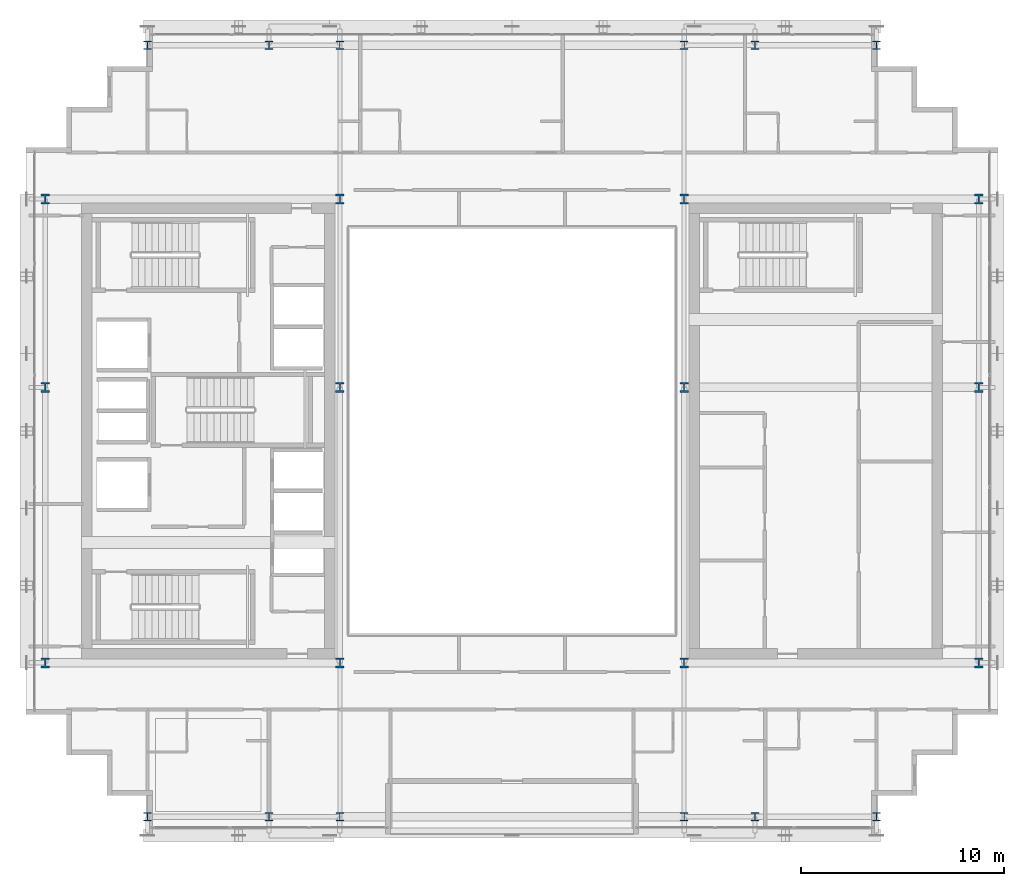
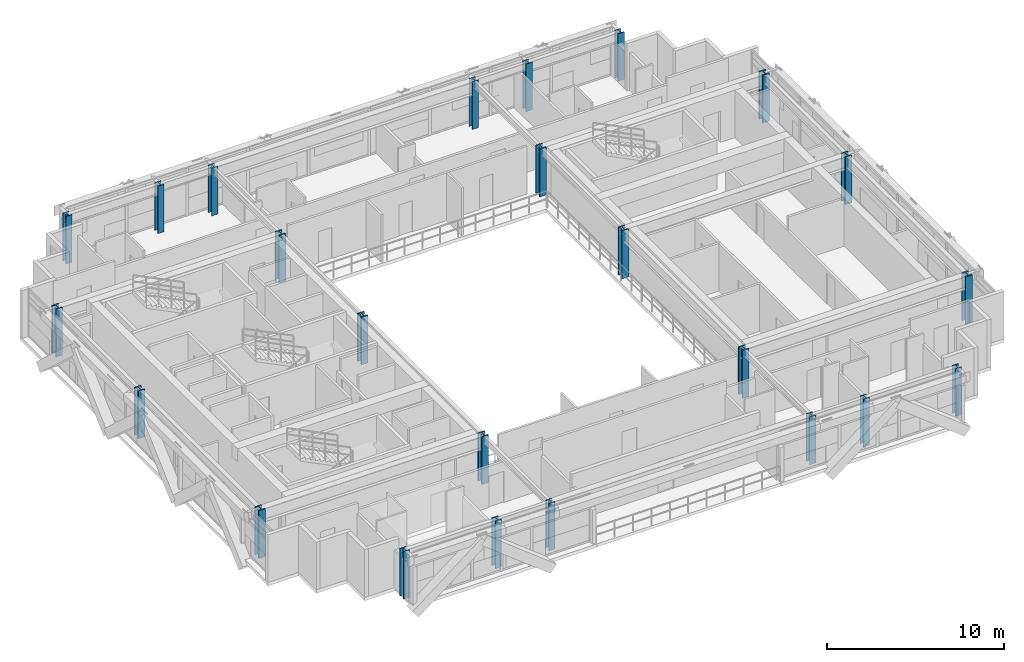
# One storey, part 1 of 32: 24 columns.
"""IFC4 building model written with IfcOpenShell, lengths in metres."""

import ifcopenshell
import ifcopenshell.guid

model = None  # the IFC model being written
_history = None  # IfcOwnerHistory: only IFC2X3 demands one
_inside = {}  # id of a spatial element -> (the spatial element, [elements in it])
_under = {}  # id of a project, library or spatial element -> (it, [spatial elements below it])
_declared = {}  # id of a project -> (the project, [libraries it declares])
_typed = {}  # id of a type object -> (the type object, [elements of that type])
_made_of = {}  # id of a material, layer set ... -> (it, [elements and type objects made of it])


def new_model(schema):
    """Start an empty IFC model of exactly this schema.

    Asked for "IFC4X3", IfcOpenShell would pick the latest addendum, in which some entities
    have other attributes; the version numbers below select the first issue.
    IFC2X3 requires an IfcOwnerHistory on every rooted entity: one is made here for all.
    """
    global model, _history
    if schema == "IFC4X3":
        model = ifcopenshell.file(schema_version=(4, 3, 0, 0))
    else:
        model = ifcopenshell.file(schema=schema)
    _inside.clear()
    _under.clear()
    _declared.clear()
    _typed.clear()
    _made_of.clear()
    _history = None
    if model.schema == "IFC2X3":
        org = make("IfcOrganization", Name="unknown")
        user = make(
            "IfcPersonAndOrganization",
            ThePerson=make("IfcPerson", FamilyName="unknown"),
            TheOrganization=org,
        )
        app = make(
            "IfcApplication",
            ApplicationDeveloper=org,
            Version="unknown",
            ApplicationFullName="unknown",
            ApplicationIdentifier="unknown",
        )
        _history = make(
            "IfcOwnerHistory",
            OwningUser=user,
            OwningApplication=app,
            ChangeAction="ADDED",
            CreationDate=0,
        )
    return model


def make(cls, **values):
    """One entity of the class cls with the attributes given. An attribute that is None is left unset."""
    return model.create_entity(
        cls, **{name: value for name, value in values.items() if value is not None}
    )


def rooted(cls, **values):
    """An entity with a GlobalId (a new one), such as an element, a storey or a relation."""
    return make(cls, GlobalId=ifcopenshell.guid.new(), OwnerHistory=_history, **values)


def si_unit(unit_type, name, prefix=None):
    """IfcSIUnit, for example si_unit("LENGTHUNIT", "METRE", prefix="MILLI")."""
    return make("IfcSIUnit", UnitType=unit_type, Prefix=prefix, Name=name)


def assignment(units):
    """IfcUnitAssignment: the units of a project."""
    return None if units is None else make("IfcUnitAssignment", Units=units)


def point(xyz):
    """IfcCartesianPoint."""
    return None if xyz is None else make("IfcCartesianPoint", Coordinates=xyz)


def direction(xyz):
    """IfcDirection."""
    return None if xyz is None else make("IfcDirection", DirectionRatios=xyz)


def frame(location, z_axis=None, x_axis=None):
    """IfcAxis2Placement3D, a coordinate frame: its origin and axes. An axis left out is left unset."""
    return make(
        "IfcAxis2Placement3D",
        Location=point(location),
        Axis=direction(z_axis),
        RefDirection=direction(x_axis),
    )


def frame_2d(location, x_axis=None):
    """IfcAxis2Placement2D, a coordinate frame in the plane: its origin and x axis."""
    return make(
        "IfcAxis2Placement2D", Location=point(location), RefDirection=direction(x_axis)
    )


def origin():
    """The frame at (0, 0, 0) with its axes left unset."""
    return frame((0.0, 0.0, 0.0))


def origin_2d():
    """The frame at (0, 0) in the plane with its x axis left unset."""
    return frame_2d((0.0, 0.0))


def place(relative_to, where):
    """IfcLocalPlacement: puts the frame where relative to a parent placement (None: the world)."""
    return make(
        "IfcLocalPlacement", PlacementRelTo=relative_to, RelativePlacement=where
    )


def context(
    kind, dimensions, precision=None, world=None, true_north=None, identifier=None
):
    """IfcGeometricRepresentationContext, for example the 3D "Model" context."""
    return make(
        "IfcGeometricRepresentationContext",
        ContextIdentifier=identifier,
        ContextType=kind,
        CoordinateSpaceDimension=dimensions,
        Precision=precision,
        WorldCoordinateSystem=world,
        TrueNorth=true_north,
    )


def subcontext(parent, identifier, kind, view, scale=None):
    """IfcGeometricRepresentationSubContext, for example "Body" below "Model"."""
    return make(
        "IfcGeometricRepresentationSubContext",
        ContextIdentifier=identifier,
        ContextType=kind,
        ParentContext=parent,
        TargetScale=scale,
        TargetView=view,
    )


def project(units=None, contexts=None):
    """IfcProject with its units and contexts."""
    return rooted(
        "IfcProject",
        Name="project",
        RepresentationContexts=contexts,
        UnitsInContext=assignment(units),
    )


def spatial(cls, under=None, at=None, **own):
    """A site, building, storey or space (cls), placed at a placement, below another one or the project."""
    s = rooted(cls, ObjectPlacement=at, **own)
    if under is not None:
        _under.setdefault(under.id(), (under, []))[1].append(s)
    return s


def profile(cls, at=None, kind="AREA", **sizes):
    """A parametric profile (cls). Its sizes go by their IFC names, for example OverallWidth=200.0."""
    return make(cls, ProfileType=kind, Position=at, **sizes)


def i_section(**sizes):
    """IfcIShapeProfileDef."""
    return profile("IfcIShapeProfileDef", **sizes)


def extrude(swept, where, along, depth):
    """IfcExtrudedAreaSolid: the profile swept, set in the frame where, extruded along a direction by depth."""
    return make(
        "IfcExtrudedAreaSolid",
        SweptArea=swept,
        Position=where,
        ExtrudedDirection=direction(along),
        Depth=depth,
    )


def shape(context_of_items, identifier, shape_type, items):
    """IfcShapeRepresentation: the items that make up one representation, for example the "Body"."""
    return make(
        "IfcShapeRepresentation",
        ContextOfItems=context_of_items,
        RepresentationIdentifier=identifier,
        RepresentationType=shape_type,
        Items=items,
    )


def source(mapping_origin, context_of_items, identifier, shape_type, items):
    """IfcRepresentationMap: a shape defined once, which mapped items show again and again."""
    return make(
        "IfcRepresentationMap",
        MappingOrigin=mapping_origin,
        MappedRepresentation=shape(context_of_items, identifier, shape_type, items),
    )


def transform(
    local_origin,
    x_axis=None,
    y_axis=None,
    z_axis=None,
    scale=None,
    scale2=None,
    scale3=None,
    uniform=True,
):
    """IfcCartesianTransformationOperator3D, or its non-uniform kind. x_axis, y_axis, z_axis: its Axis1, 2, 3."""
    if uniform:
        return make(
            "IfcCartesianTransformationOperator3D",
            Axis1=direction(x_axis),
            Axis2=direction(y_axis),
            LocalOrigin=point(local_origin),
            Scale=scale,
            Axis3=direction(z_axis),
        )
    return make(
        "IfcCartesianTransformationOperator3DnonUniform",
        Axis1=direction(x_axis),
        Axis2=direction(y_axis),
        LocalOrigin=point(local_origin),
        Scale=scale,
        Axis3=direction(z_axis),
        Scale2=scale2,
        Scale3=scale3,
    )


def mapped(mapping_source, mapping_target):
    """IfcMappedItem: shows the shape of a source again, moved by a transform."""
    return make(
        "IfcMappedItem", MappingSource=mapping_source, MappingTarget=mapping_target
    )


def material(Name=None, Category=None):
    """IfcMaterial."""
    return make("IfcMaterial", Name=Name, Category=Category)


def material_profile(
    of_material, cross_section, Name=None, Category=None, Priority=None
):
    """IfcMaterialProfile: a cross section and its material."""
    return make(
        "IfcMaterialProfile",
        Name=Name,
        Material=of_material,
        Profile=cross_section,
        Priority=Priority,
        Category=Category,
    )


def profile_set(profiles, Name=None, composite=None):
    """IfcMaterialProfileSet."""
    return make(
        "IfcMaterialProfileSet",
        Name=Name,
        MaterialProfiles=profiles,
        CompositeProfile=composite,
    )


def made_of(thing, what):
    """Note that an element or type object is made of a material, layer set ...; save() writes the relation."""
    if what is not None:
        _made_of.setdefault(what.id(), (what, []))[1].append(thing)
    return thing


def type_object(cls, material=None, **own):
    """A type object (cls), such as IfcWallType, which elements share."""
    return made_of(rooted(cls, **own), material)


def element(
    cls,
    number,
    at=None,
    inside=None,
    cuts=None,
    type_object=None,
    material=None,
    context=None,
    identifier="Body",
    shape_type=None,
    held_by="IfcProductDefinitionShape",
    body=None,
    shapes=None,
    **own,
):
    """One element of the class cls, such as IfcWall. Its Tag is "e" and its number.

    at: its placement. inside: the storey or other place that contains it. cuts: it is an
    opening in that element (IfcRelVoidsElement). A single representation is given by context,
    identifier, shape_type and body (its items); several are given by shapes. held_by: the class
    of the entity that holds the representations. save() writes the other relations.
    """
    e = rooted(cls, Tag="e%d" % number, ObjectPlacement=at, **own)
    if body is not None:
        shapes = [shape(context, identifier, shape_type, body)]
    if shapes is not None:
        e.Representation = make(held_by, Representations=shapes)
    if inside is not None:
        _inside.setdefault(inside.id(), (inside, []))[1].append(e)
    if cuts is not None:
        rooted(
            "IfcRelVoidsElement", RelatingBuildingElement=cuts, RelatedOpeningElement=e
        )
    if type_object is not None:
        _typed.setdefault(type_object.id(), (type_object, []))[1].append(e)
    return made_of(e, material)


def aggregate(whole, parts):
    """IfcRelAggregates: a whole, such as a stair, and the parts it consists of."""
    return rooted("IfcRelAggregates", RelatingObject=whole, RelatedObjects=parts)


def save(model, path):
    """Write the relations noted so far, then the file.

    IfcRelAggregates (storeys below a building ...), IfcRelContainedInSpatialStructure (elements
    in a storey), IfcRelDefinesByType, IfcRelAssociatesMaterial and IfcRelDeclares: one each for
    every whole, place, type object, material and project.
    """
    for whole, parts in _under.values():
        aggregate(whole, parts)
    for where, things in _inside.values():
        rooted(
            "IfcRelContainedInSpatialStructure",
            RelatedElements=things,
            RelatingStructure=where,
        )
    for kind, things in _typed.values():
        rooted("IfcRelDefinesByType", RelatedObjects=things, RelatingType=kind)
    for what, things in _made_of.values():
        rooted("IfcRelAssociatesMaterial", RelatedObjects=things, RelatingMaterial=what)
    for by, libraries in _declared.values():
        rooted("IfcRelDeclares", RelatingContext=by, RelatedDefinitions=libraries)
    model.write(path)


model = new_model("IFC4")

# Units and contexts
model_context = context("Model", 3, precision=1e-05, world=origin(), true_north=direction((0.0, 1.0)))
body_context = subcontext(model_context, "Body", "Model", "MODEL_VIEW")
ifc_project = project(units=[si_unit("LENGTHUNIT", "METRE"), si_unit("AREAUNIT", "SQUARE_METRE"), si_unit("VOLUMEUNIT", "CUBIC_METRE"), si_unit("PLANEANGLEUNIT", "RADIAN"), si_unit("MASSUNIT", "GRAM", prefix="KILO")], contexts=[model_context])

# Site, building, storey
site_placement = place(None, origin())
site = spatial("IfcSite", under=ifc_project, at=site_placement, CompositionType="ELEMENT")
building_placement = place(site_placement, origin())
building = spatial("IfcBuilding", under=site, at=building_placement, Name="Ocotamira Hotel", CompositionType="ELEMENT")
storey_placement = place(building_placement, frame((0.0, 0.0, 217.199951171875)))
storey = spatial("IfcBuildingStorey", under=building, at=storey_placement, Name="L55", CompositionType="ELEMENT", Elevation=217.199951171875)

# Columns
ifc_material = material(Name="Steel ASTM A913 Grade 65", Category="steel")
ifc_material_profile_1 = material_profile(ifc_material, i_section(OverallWidth=0.431884765625, OverallDepth=0.498046875, WebThickness=0.0556640625, FlangeThickness=0.0888671875, FilletRadius=0.02490234375, at=origin_2d()), Name="W14X500")
ifc_profile_set_1 = profile_set([ifc_material_profile_1], Name="Steel ASTM A913 Grade 65")
column_type_1 = type_object("IfcColumnType", Name="COL-W14X500", PredefinedType="COLUMN", material=ifc_profile_set_1)
shared_shape_1 = source(origin(), body_context, "Body", "SweptSolid", [
    extrude(i_section(OverallWidth=0.431884765625, OverallDepth=0.498046875, WebThickness=0.0556640625, FlangeThickness=0.0888671875, FilletRadius=0.02490234375, at=origin_2d()), origin(), (0.0, 0.0, 1.0), 3.280029296875),
])
for number, where, z_axis, x_axis, name in (
    (1, (8.949951171875, 14.550048828125, 0.0), (0.0, 0.0, 1.0), (1.0, 0.0, 0.0), "L55 Column TW8_14"),
    (2, (23.5, 14.550048828125, 0.0), (0.0, 0.0, 1.0), (1.0, 0.0, 0.0), "L55 Column TW23_14"),
    (3, (40.5, 14.550048828125, 0.0), (0.0, 0.0, 1.0), (1.0, 0.0, 0.0), "L55 Column TE40_14"),
    (4, (55.050048828125, 14.550048828125, 0.0), (0.0, 0.0, 1.0), (1.0, 0.0, 0.0), "L55 Column TE55_14"),
    (5, (8.949951171875, 28.14990234375, 0.0), (0.0, 0.0, 1.0), (1.0, 0.0, 0.0), "L55 Column TW8_28"),
    (6, (23.5, 28.14990234375, 0.0), (0.0, 0.0, 1.0), (1.0, 0.0, 0.0), "L55 Column TW23_28"),
    (7, (40.5, 28.14990234375, 0.0), (0.0, 0.0, 1.0), (1.0, 0.0, 0.0), "L55 Column TE40_28"),
    (8, (55.050048828125, 28.14990234375, 0.0), (0.0, 0.0, 1.0), (1.0, 0.0, 0.0), "L55 Column TE55_28"),
    (9, (8.949951171875, 37.449951171875, 0.0), (0.0, 0.0, 1.0), (1.0, 0.0, 0.0), "L55 Column TW8_37"),
    (10, (23.5, 37.449951171875, 0.0), (0.0, 0.0, 1.0), (1.0, 0.0, 0.0), "L55 Column TW23_37"),
    (11, (40.5, 37.449951171875, 0.0), (0.0, 0.0, 1.0), (1.0, 0.0, 0.0), "L55 Column TE40_37"),
    (12, (55.050048828125, 37.449951171875, 0.0), (0.0, 0.0, 1.0), (1.0, 0.0, 0.0), "L55 Column TE55_37"),
):
    element("IfcColumn", number, at=place(storey_placement, frame(where, z_axis=z_axis, x_axis=x_axis)), inside=storey, type_object=column_type_1, Name=name, PredefinedType="COLUMN", context=body_context, shape_type="MappedRepresentation", body=[
        mapped(shared_shape_1, transform((0.0, 0.0, 0.0), scale=1.0)),
    ])
ifc_material_profile_2 = material_profile(ifc_material, i_section(OverallWidth=0.404052734375, OverallDepth=0.406982421875, WebThickness=0.027099609375, FlangeThickness=0.043701171875, FilletRadius=0.02490234375, at=origin_2d()), Name="W14X233")
ifc_profile_set_2 = profile_set([ifc_material_profile_2], Name="Steel ASTM A913 Grade 65")
column_type_2 = type_object("IfcColumnType", Name="COL-W14X233", PredefinedType="COLUMN", material=ifc_profile_set_2)
shared_shape_2 = source(origin(), body_context, "Body", "SweptSolid", [
    extrude(i_section(OverallWidth=0.404052734375, OverallDepth=0.406982421875, WebThickness=0.027099609375, FlangeThickness=0.043701171875, FilletRadius=0.02490234375, at=origin_2d()), origin(), (0.0, 0.0, 1.0), 3.280029296875),
])
for number, where, z_axis, x_axis, name in (
    (13, (14.0, 6.949951171875, 0.0), (0.0, 0.0, 1.0), (1.0, 0.0, 0.0), "L55 Column NSP1_14"),
    (14, (20.0, 6.949951171875, 0.0), (0.0, 0.0, 1.0), (1.0, 0.0, 0.0), "L55 Column NSP1_20"),
    (15, (23.5, 6.949951171875, 0.0), (0.0, 0.0, 1.0), (1.0, 0.0, 0.0), "L55 Column NSP1_23"),
    (16, (40.5, 6.949951171875, 0.0), (0.0, 0.0, 1.0), (1.0, 0.0, 0.0), "L55 Column NSP1_40"),
    (17, (44.0, 6.949951171875, 0.0), (0.0, 0.0, 1.0), (1.0, 0.0, 0.0), "L55 Column NSP1_44"),
    (18, (50.0, 6.949951171875, 0.0), (0.0, 0.0, 1.0), (1.0, 0.0, 0.0), "L55 Column NSP1_50"),
    (19, (14.0, 45.050048828125, 0.0), (0.0, 0.0, 1.0), (1.0, 0.0, 0.0), "L55 Column NSP2_14"),
    (20, (20.0, 45.050048828125, 0.0), (0.0, 0.0, 1.0), (1.0, 0.0, 0.0), "L55 Column NSP2_20"),
    (21, (23.5, 45.050048828125, 0.0), (0.0, 0.0, 1.0), (1.0, 0.0, 0.0), "L55 Column NSP2_23"),
    (22, (40.5, 45.050048828125, 0.0), (0.0, 0.0, 1.0), (1.0, 0.0, 0.0), "L55 Column NSP2_40"),
    (23, (44.0, 45.050048828125, 0.0), (0.0, 0.0, 1.0), (1.0, 0.0, 0.0), "L55 Column NSP2_44"),
    (24, (50.0, 45.050048828125, 0.0), (0.0, 0.0, 1.0), (1.0, 0.0, 0.0), "L55 Column NSP2_50"),
):
    element("IfcColumn", number, at=place(storey_placement, frame(where, z_axis=z_axis, x_axis=x_axis)), inside=storey, type_object=column_type_2, Name=name, PredefinedType="COLUMN", context=body_context, shape_type="MappedRepresentation", body=[
        mapped(shared_shape_2, transform((0.0, 0.0, 0.0), scale=1.0)),
    ])

save(model, "model.ifc")
